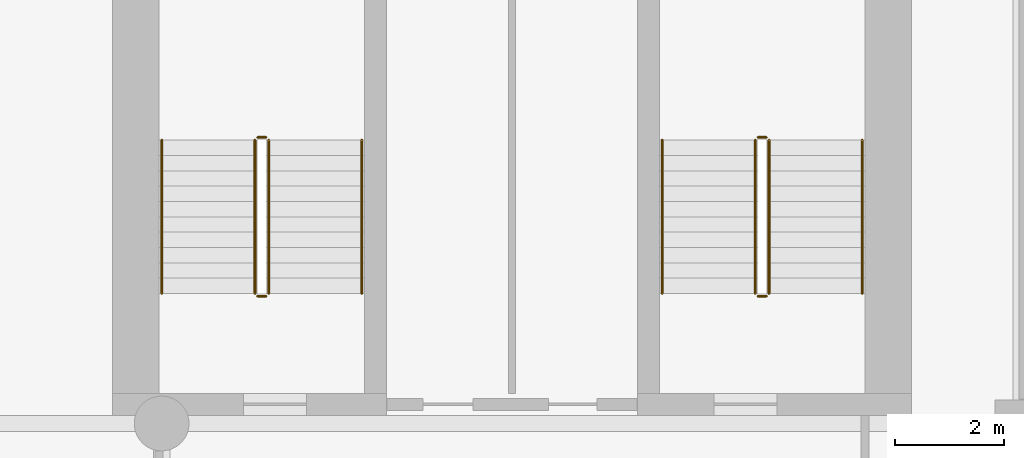
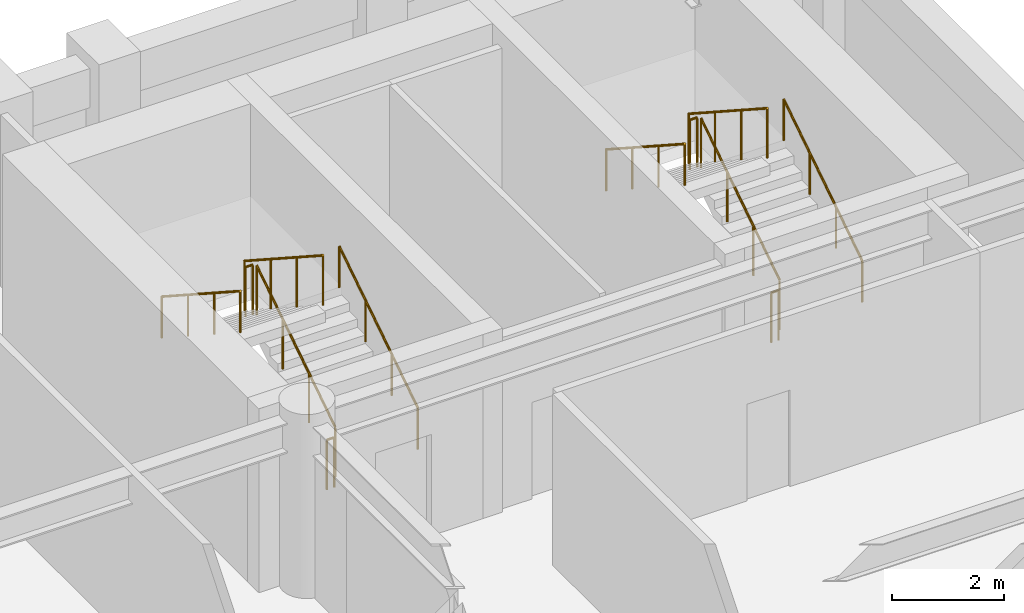
# One storey, part 8 of 8: 12 railings.
"""IFC4 building model written with IfcOpenShell, lengths in metres."""

from ifc_helpers import new_model, si_unit, direction, frame, origin, origin_2d, place, context, subcontext, project, spatial, circle, extrude, material, type_object, element, save


model = new_model("IFC4")

# Units and contexts
model_context = context("Model", 3, precision=1e-05, world=origin(), true_north=direction((0.0, 1.0)))
body_context = subcontext(model_context, "Body", "Model", "MODEL_VIEW")
ifc_project = project(units=[si_unit("LENGTHUNIT", "METRE"), si_unit("AREAUNIT", "SQUARE_METRE"), si_unit("VOLUMEUNIT", "CUBIC_METRE"), si_unit("PLANEANGLEUNIT", "RADIAN"), si_unit("MASSUNIT", "GRAM", prefix="KILO")], contexts=[model_context])

# Site, building, storey
site_placement = place(None, origin())
site = spatial("IfcSite", under=ifc_project, at=site_placement, CompositionType="ELEMENT")
building_placement = place(site_placement, origin())
building = spatial("IfcBuilding", under=site, at=building_placement, Name="Sulina Concourse Tower", CompositionType="ELEMENT")
storey_placement = place(building_placement, frame((0.0, 0.0, 124.60009765625)))
storey = spatial("IfcBuildingStorey", under=building, at=storey_placement, Name="L30", CompositionType="ELEMENT", Elevation=124.60009765625)

# Railings
ifc_material_1 = material(Name="Galvanised steel railing", Category="steel")
railing_type_1 = type_object("IfcRailingType", Name="Core Stair Steel Guardrail 1150mm", PredefinedType="GUARDRAIL", material=ifc_material_1)
railing_1_placement = place(storey_placement, frame((43.554931640625, 36.375, 0.181640625)))
element("IfcRailing", 1, at=railing_1_placement, inside=storey, type_object=railing_type_1, Name="L30 ST-3 stair guard 1", PredefinedType="GUARDRAIL", context=body_context, shape_type="SweptSolid", body=[
    extrude(circle(Radius=0.02392578125, at=origin_2d()), frame((0.0, 0.0, 1.076171875), z_axis=(0.0, 0.838672427954, 0.544636170843), x_axis=(-1.0, 0.0, 0.0)), (0.0, 0.0, 1.0), 3.338623046875),
    extrude(circle(Radius=0.02099609375, at=origin_2d()), origin(), (0.0, 0.0, 1.0), 1.052001953125),
    extrude(circle(Radius=0.02099609375, at=origin_2d()), frame((0.0, 0.933349609375, 0.606201171875)), (0.0, 0.0, 1.0), 1.052001953125),
    extrude(circle(Radius=0.02099609375, at=origin_2d()), frame((0.0, 1.86669921875, 1.212158203125)), (0.0, 0.0, 1.0), 1.052001953125),
    extrude(circle(Radius=0.02099609375, at=origin_2d()), frame((0.0, 2.800048828125, 1.818359375)), (0.0, 0.0, 1.0), 1.052001953125),
])
railing_2_placement = place(storey_placement, frame((43.5048828125, 39.22509765625, 2.0)))
element("IfcRailing", 2, at=railing_2_placement, inside=storey, type_object=railing_type_1, Name="L30 ST-3 stair guard 2", PredefinedType="GUARDRAIL", context=body_context, shape_type="SweptSolid", body=[
    extrude(circle(Radius=0.02392578125, at=origin_2d()), frame((0.0, 0.0, 1.076171875), z_axis=(-1.0, 0.0, 0.0), x_axis=(0.0, -1.0, 0.0)), (0.0, 0.0, 1.0), 0.14990234375),
    extrude(circle(Radius=0.02099609375, at=origin_2d()), origin(), (0.0, 0.0, 1.0), 1.052001953125),
    extrude(circle(Radius=0.02099609375, at=origin_2d()), frame((-0.14990234375, 0.0, 0.0)), (0.0, 0.0, 1.0), 1.052001953125),
])
railing_3_placement = place(storey_placement, frame((43.304931640625, 39.175048828125, 2.181640625)))
element("IfcRailing", 3, at=railing_3_placement, inside=storey, type_object=railing_type_1, Name="L30 ST-3 stair guard 3", PredefinedType="GUARDRAIL", context=body_context, shape_type="SweptSolid", body=[
    extrude(circle(Radius=0.02392578125, at=origin_2d()), frame((0.0, 0.0, 1.076171875), z_axis=(0.0, -0.838672427954, 0.544636170843), x_axis=(1.0, 0.0, 0.0)), (0.0, 0.0, 1.0), 3.338623046875),
    extrude(circle(Radius=0.02099609375, at=origin_2d()), origin(), (0.0, 0.0, 1.0), 1.052001953125),
    extrude(circle(Radius=0.02099609375, at=origin_2d()), frame((0.0, -0.933349609375, 0.606201171875)), (0.0, 0.0, 1.0), 1.052001953125),
    extrude(circle(Radius=0.02099609375, at=origin_2d()), frame((0.0, -1.86669921875, 1.212158203125)), (0.0, 0.0, 1.0), 1.052001953125),
    extrude(circle(Radius=0.02099609375, at=origin_2d()), frame((0.0, -2.800048828125, 1.818359375)), (0.0, 0.0, 1.0), 1.052001953125),
])
railing_4_placement = place(storey_placement, frame((43.5048828125, 36.324951171875, 0.0)))
element("IfcRailing", 4, at=railing_4_placement, inside=storey, type_object=railing_type_1, Name="L30 ST-3 stair guard 4", PredefinedType="GUARDRAIL", context=body_context, shape_type="SweptSolid", body=[
    extrude(circle(Radius=0.02392578125, at=origin_2d()), frame((0.0, 0.0, 1.076171875), z_axis=(-1.0, 0.0, 0.0), x_axis=(0.0, -1.0, 0.0)), (0.0, 0.0, 1.0), 0.14990234375),
    extrude(circle(Radius=0.02099609375, at=origin_2d()), origin(), (0.0, 0.0, 1.0), 1.052001953125),
    extrude(circle(Radius=0.02099609375, at=origin_2d()), frame((-0.14990234375, 0.0, 0.0)), (0.0, 0.0, 1.0), 1.052001953125),
])
railing_5_placement = place(storey_placement, frame((52.695068359375, 36.375, 0.181640625)))
element("IfcRailing", 5, at=railing_5_placement, inside=storey, type_object=railing_type_1, Name="L30 ST-4 stair guard 1", PredefinedType="GUARDRAIL", context=body_context, shape_type="SweptSolid", body=[
    extrude(circle(Radius=0.02392578125, at=origin_2d()), frame((0.0, 0.0, 1.076171875), z_axis=(0.0, 0.838672427954, 0.544636170843), x_axis=(-1.0, 0.0, 0.0)), (0.0, 0.0, 1.0), 3.338623046875),
    extrude(circle(Radius=0.02099609375, at=origin_2d()), origin(), (0.0, 0.0, 1.0), 1.052001953125),
    extrude(circle(Radius=0.02099609375, at=origin_2d()), frame((0.0, 0.933349609375, 0.606201171875)), (0.0, 0.0, 1.0), 1.052001953125),
    extrude(circle(Radius=0.02099609375, at=origin_2d()), frame((0.0, 1.86669921875, 1.212158203125)), (0.0, 0.0, 1.0), 1.052001953125),
    extrude(circle(Radius=0.02099609375, at=origin_2d()), frame((0.0, 2.800048828125, 1.818359375)), (0.0, 0.0, 1.0), 1.052001953125),
])
railing_6_placement = place(storey_placement, frame((52.64501953125, 39.22509765625, 2.0)))
element("IfcRailing", 6, at=railing_6_placement, inside=storey, type_object=railing_type_1, Name="L30 ST-4 stair guard 2", PredefinedType="GUARDRAIL", context=body_context, shape_type="SweptSolid", body=[
    extrude(circle(Radius=0.02392578125, at=origin_2d()), frame((0.0, 0.0, 1.076171875), z_axis=(-1.0, 0.0, 0.0), x_axis=(0.0, -1.0, 0.0)), (0.0, 0.0, 1.0), 0.14990234375),
    extrude(circle(Radius=0.02099609375, at=origin_2d()), origin(), (0.0, 0.0, 1.0), 1.052001953125),
    extrude(circle(Radius=0.02099609375, at=origin_2d()), frame((-0.14990234375, 0.0, 0.0)), (0.0, 0.0, 1.0), 1.052001953125),
])
railing_7_placement = place(storey_placement, frame((52.445068359375, 39.175048828125, 2.181640625)))
element("IfcRailing", 7, at=railing_7_placement, inside=storey, type_object=railing_type_1, Name="L30 ST-4 stair guard 3", PredefinedType="GUARDRAIL", context=body_context, shape_type="SweptSolid", body=[
    extrude(circle(Radius=0.02392578125, at=origin_2d()), frame((0.0, 0.0, 1.076171875), z_axis=(0.0, -0.838672427954, 0.544636170843), x_axis=(1.0, 0.0, 0.0)), (0.0, 0.0, 1.0), 3.338623046875),
    extrude(circle(Radius=0.02099609375, at=origin_2d()), origin(), (0.0, 0.0, 1.0), 1.052001953125),
    extrude(circle(Radius=0.02099609375, at=origin_2d()), frame((0.0, -0.933349609375, 0.606201171875)), (0.0, 0.0, 1.0), 1.052001953125),
    extrude(circle(Radius=0.02099609375, at=origin_2d()), frame((0.0, -1.86669921875, 1.212158203125)), (0.0, 0.0, 1.0), 1.052001953125),
    extrude(circle(Radius=0.02099609375, at=origin_2d()), frame((0.0, -2.800048828125, 1.818359375)), (0.0, 0.0, 1.0), 1.052001953125),
])
railing_8_placement = place(storey_placement, frame((52.64501953125, 36.324951171875, 0.0)))
element("IfcRailing", 8, at=railing_8_placement, inside=storey, type_object=railing_type_1, Name="L30 ST-4 stair guard 4", PredefinedType="GUARDRAIL", context=body_context, shape_type="SweptSolid", body=[
    extrude(circle(Radius=0.02392578125, at=origin_2d()), frame((0.0, 0.0, 1.076171875), z_axis=(-1.0, 0.0, 0.0), x_axis=(0.0, -1.0, 0.0)), (0.0, 0.0, 1.0), 0.14990234375),
    extrude(circle(Radius=0.02099609375, at=origin_2d()), origin(), (0.0, 0.0, 1.0), 1.052001953125),
    extrude(circle(Radius=0.02099609375, at=origin_2d()), frame((-0.14990234375, 0.0, 0.0)), (0.0, 0.0, 1.0), 1.052001953125),
])
ifc_material_2 = material(Name="Galvanised steel railing", Category="steel")
railing_type_2 = type_object("IfcRailingType", Name="Stair Wall Steel Handrail 920mm", PredefinedType="HANDRAIL", material=ifc_material_2)
railing_9_placement = place(storey_placement, frame((45.2548828125, 36.375, 0.181640625)))
element("IfcRailing", 9, at=railing_9_placement, inside=storey, type_object=railing_type_2, Name="L30 ST-3 stair handrail 1", PredefinedType="HANDRAIL", context=body_context, shape_type="SweptSolid", body=[
    extrude(circle(Radius=0.02392578125, at=origin_2d()), frame((0.0, 0.0, 0.89599609375), z_axis=(0.0, 0.838672427954, 0.544636170843), x_axis=(-1.0, 0.0, 0.0)), (0.0, 0.0, 1.0), 3.338623046875),
    extrude(circle(Radius=0.02099609375, at=origin_2d()), origin(), (0.0, 0.0, 1.0), 0.871826171875),
    extrude(circle(Radius=0.02099609375, at=origin_2d()), frame((0.0, 0.933349609375, 0.606201171875)), (0.0, 0.0, 1.0), 0.871826171875),
    extrude(circle(Radius=0.02099609375, at=origin_2d()), frame((0.0, 1.86669921875, 1.212158203125)), (0.0, 0.0, 1.0), 0.871826171875),
    extrude(circle(Radius=0.02099609375, at=origin_2d()), frame((0.0, 2.800048828125, 1.818359375)), (0.0, 0.0, 1.0), 0.871826171875),
])
railing_10_placement = place(storey_placement, frame((41.60498046875, 39.175048828125, 2.181640625)))
element("IfcRailing", 10, at=railing_10_placement, inside=storey, type_object=railing_type_2, Name="L30 ST-3 stair handrail 2", PredefinedType="HANDRAIL", context=body_context, shape_type="SweptSolid", body=[
    extrude(circle(Radius=0.02392578125, at=origin_2d()), frame((0.0, 0.0, 0.89599609375), z_axis=(0.0, -0.838672427954, 0.544636170843), x_axis=(1.0, 0.0, 0.0)), (0.0, 0.0, 1.0), 3.338623046875),
    extrude(circle(Radius=0.02099609375, at=origin_2d()), origin(), (0.0, 0.0, 1.0), 0.871826171875),
    extrude(circle(Radius=0.02099609375, at=origin_2d()), frame((0.0, -0.933349609375, 0.606201171875)), (0.0, 0.0, 1.0), 0.871826171875),
    extrude(circle(Radius=0.02099609375, at=origin_2d()), frame((0.0, -1.86669921875, 1.212158203125)), (0.0, 0.0, 1.0), 0.871826171875),
    extrude(circle(Radius=0.02099609375, at=origin_2d()), frame((0.0, -2.800048828125, 1.818359375)), (0.0, 0.0, 1.0), 0.871826171875),
])
railing_11_placement = place(storey_placement, frame((54.39501953125, 36.375, 0.181640625)))
element("IfcRailing", 11, at=railing_11_placement, inside=storey, type_object=railing_type_2, Name="L30 ST-4 stair handrail 1", PredefinedType="HANDRAIL", context=body_context, shape_type="SweptSolid", body=[
    extrude(circle(Radius=0.02392578125, at=origin_2d()), frame((0.0, 0.0, 0.89599609375), z_axis=(0.0, 0.838672427954, 0.544636170843), x_axis=(-1.0, 0.0, 0.0)), (0.0, 0.0, 1.0), 3.338623046875),
    extrude(circle(Radius=0.02099609375, at=origin_2d()), origin(), (0.0, 0.0, 1.0), 0.871826171875),
    extrude(circle(Radius=0.02099609375, at=origin_2d()), frame((0.0, 0.933349609375, 0.606201171875)), (0.0, 0.0, 1.0), 0.871826171875),
    extrude(circle(Radius=0.02099609375, at=origin_2d()), frame((0.0, 1.86669921875, 1.212158203125)), (0.0, 0.0, 1.0), 0.871826171875),
    extrude(circle(Radius=0.02099609375, at=origin_2d()), frame((0.0, 2.800048828125, 1.818359375)), (0.0, 0.0, 1.0), 0.871826171875),
])
railing_12_placement = place(storey_placement, frame((50.7451171875, 39.175048828125, 2.181640625)))
element("IfcRailing", 12, at=railing_12_placement, inside=storey, type_object=railing_type_2, Name="L30 ST-4 stair handrail 2", PredefinedType="HANDRAIL", context=body_context, shape_type="SweptSolid", body=[
    extrude(circle(Radius=0.02392578125, at=origin_2d()), frame((0.0, 0.0, 0.89599609375), z_axis=(0.0, -0.838672427954, 0.544636170843), x_axis=(1.0, 0.0, 0.0)), (0.0, 0.0, 1.0), 3.338623046875),
    extrude(circle(Radius=0.02099609375, at=origin_2d()), origin(), (0.0, 0.0, 1.0), 0.871826171875),
    extrude(circle(Radius=0.02099609375, at=origin_2d()), frame((0.0, -0.933349609375, 0.606201171875)), (0.0, 0.0, 1.0), 0.871826171875),
    extrude(circle(Radius=0.02099609375, at=origin_2d()), frame((0.0, -1.86669921875, 1.212158203125)), (0.0, 0.0, 1.0), 0.871826171875),
    extrude(circle(Radius=0.02099609375, at=origin_2d()), frame((0.0, -2.800048828125, 1.818359375)), (0.0, 0.0, 1.0), 0.871826171875),
])

save(model, "model.ifc")
